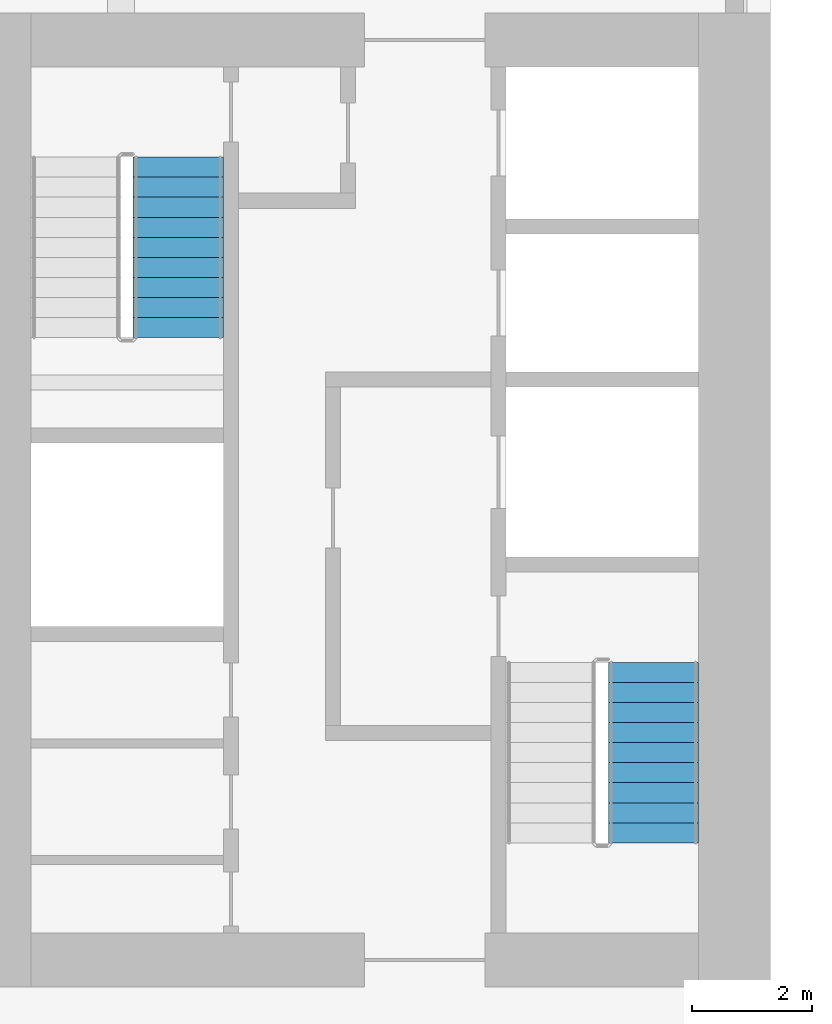
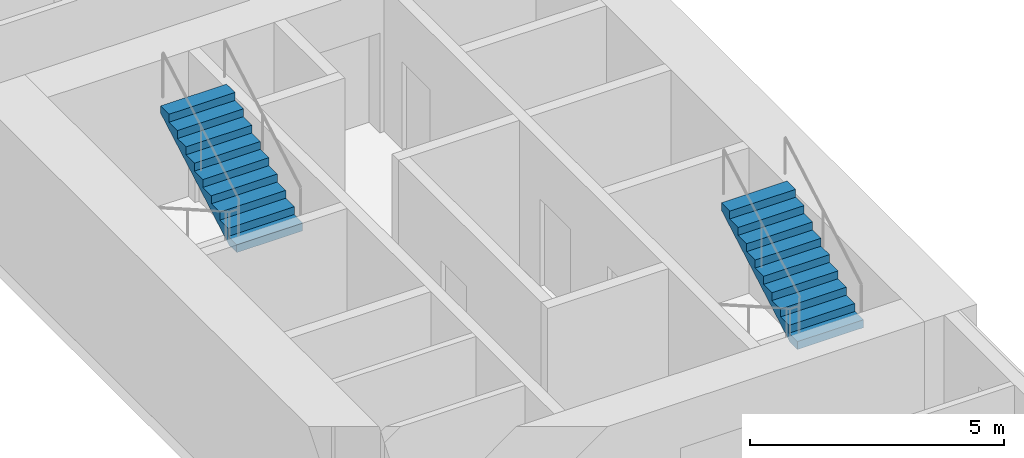
# One storey, part 10 of 13: 2 stair flights, 2 elements without a shape of their own.
"""IFC4 building model written with IfcOpenShell, lengths in metres."""

from ifc_helpers import new_model, si_unit, direction, frame, origin, place, context, subcontext, project, spatial, polyline, outline, extrude, material, type_object, element, aggregate, save


model = new_model("IFC4")

# Units and contexts
model_context = context("Model", 3, precision=1e-05, world=origin(), true_north=direction((0.0, 1.0)))
body_context = subcontext(model_context, "Body", "Model", "MODEL_VIEW")
ifc_project = project(units=[si_unit("LENGTHUNIT", "METRE"), si_unit("AREAUNIT", "SQUARE_METRE"), si_unit("VOLUMEUNIT", "CUBIC_METRE"), si_unit("PLANEANGLEUNIT", "RADIAN"), si_unit("MASSUNIT", "GRAM", prefix="KILO")], contexts=[model_context])

# Site, building, storey
site_placement = place(None, origin())
site = spatial("IfcSite", under=ifc_project, at=site_placement, CompositionType="ELEMENT")
building_placement = place(site_placement, origin())
building = spatial("IfcBuilding", under=site, at=building_placement, Name="Tabaq Tower and Sports Hall", CompositionType="ELEMENT")
storey_placement = place(building_placement, frame((0.0, 0.0, 103.0)))
storey = spatial("IfcBuildingStorey", under=building, at=storey_placement, Name="L24", CompositionType="ELEMENT", Elevation=103.0)

# Stair, stair flight
ifc_material_1 = material(Name="Concrete C40/50", Category="concrete")
stair_type = type_object("IfcStairType", Name="Exit stair", PredefinedType="HALF_TURN_STAIR", material=ifc_material_1)
stair_1_placement = place(storey_placement, origin())
stair_1 = element("IfcStair", 1, at=stair_1_placement, inside=storey, type_object=stair_type, Name="L24 Exit stair ST3", PredefinedType="HALF_TURN_STAIR")
ifc_material_2 = material(Name="Concrete C40/50", Category="concrete")
stair_flight_type = type_object("IfcStairFlightType", Name="Exit stair flight", PredefinedType="STRAIGHT", material=ifc_material_2)
stair_flight_1_placement = place(storey_placement, frame((41.25, 18.60009765625, 1.89990234375), z_axis=(0.0, 0.0, 1.0), x_axis=(0.0, 1.0, 0.0)))
stair_flight_1 = element("IfcStairFlight", 2, at=stair_flight_1_placement, type_object=stair_flight_type, Name="ST3 flight 2", NumberOfRisers=10, NumberOfTreads=9, PredefinedType="STRAIGHT", RiserHeight=0.19, TreadLength=0.333333333, context=body_context, shape_type="SweptSolid", body=[
    extrude(outline(polyline([(0.0, 0.0), (0.0, 0.18994140625), (0.333251953125, 0.18994140625), (0.333251953125, 0.3798828125), (0.666748046875, 0.3798828125), (0.666748046875, 0.570068359375), (1.0, 0.570068359375), (1.0, 0.760009765625), (1.333251953125, 0.760009765625), (1.333251953125, 0.949951171875), (1.666748046875, 0.949951171875), (1.666748046875, 1.139892578125), (2.0, 1.139892578125), (2.0, 1.330078125), (2.333251953125, 1.330078125), (2.333251953125, 1.52001953125), (2.666748046875, 1.52001953125), (2.666748046875, 1.7099609375), (3.0, 1.7099609375), (3.0, 1.89990234375), (3.0, 1.537353515625), (0.302734375, 0.0), (0.0, 0.0)])), frame((0.0, 0.75, 0.0), z_axis=(0.0, -1.0, 0.0), x_axis=(1.0, 0.0, 0.0)), (0.0, 0.0, 1.0), 1.5),
])
aggregate(stair_1, [stair_flight_1])

stair_2_placement = place(storey_placement, origin())
stair_2 = element("IfcStair", 3, at=stair_2_placement, inside=storey, type_object=stair_type, Name="L24 Exit stair ST4", PredefinedType="HALF_TURN_STAIR")
stair_flight_2_placement = place(storey_placement, frame((33.35009765625, 27.0, 1.89990234375), z_axis=(0.0, 0.0, 1.0), x_axis=(0.0, 1.0, 0.0)))
stair_flight_2 = element("IfcStairFlight", 4, at=stair_flight_2_placement, type_object=stair_flight_type, Name="ST4 flight 2", NumberOfRisers=10, NumberOfTreads=9, PredefinedType="STRAIGHT", RiserHeight=0.19, TreadLength=0.333333333, context=body_context, shape_type="SweptSolid", body=[
    extrude(outline(polyline([(0.0, 0.0), (0.0, 0.18994140625), (0.333251953125, 0.18994140625), (0.333251953125, 0.3798828125), (0.666748046875, 0.3798828125), (0.666748046875, 0.570068359375), (1.0, 0.570068359375), (1.0, 0.760009765625), (1.333251953125, 0.760009765625), (1.333251953125, 0.949951171875), (1.666748046875, 0.949951171875), (1.666748046875, 1.139892578125), (2.0, 1.139892578125), (2.0, 1.330078125), (2.333251953125, 1.330078125), (2.333251953125, 1.52001953125), (2.666748046875, 1.52001953125), (2.666748046875, 1.7099609375), (3.0, 1.7099609375), (3.0, 1.89990234375), (3.0, 1.537353515625), (0.302734375, 0.0), (0.0, 0.0)])), frame((0.0, 0.75, 0.0), z_axis=(0.0, -1.0, 0.0), x_axis=(1.0, 0.0, 0.0)), (0.0, 0.0, 1.0), 1.5),
])
aggregate(stair_2, [stair_flight_2])

save(model, "model.ifc")
